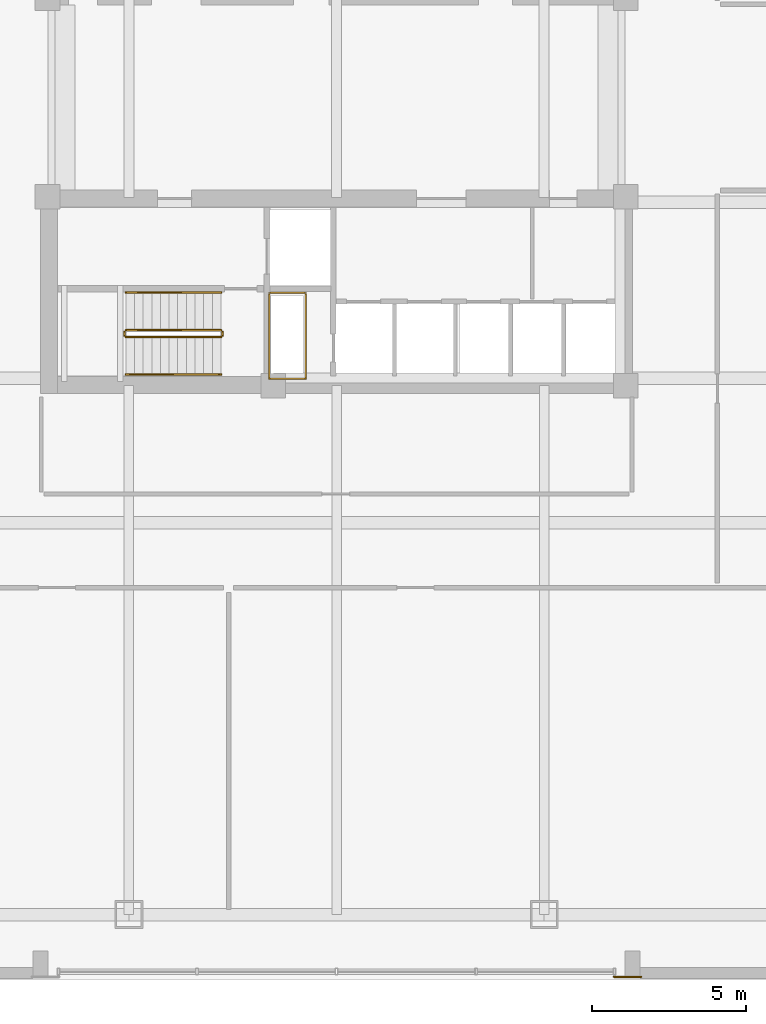
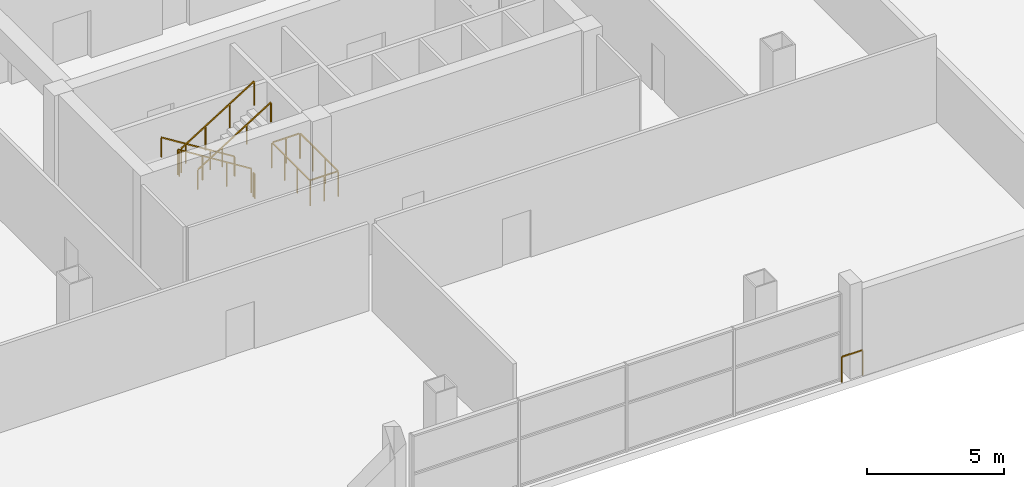
# One storey, part 18 of 21: 8 railings.
"""IFC4 building model written with IfcOpenShell, lengths in metres."""

from ifc_helpers import new_model, si_unit, direction, frame, origin, origin_2d, place, context, subcontext, project, spatial, rectangle, extrude, material, type_object, element, save


model = new_model("IFC4")

# Units and contexts
model_context = context("Model", 3, precision=1e-05, world=origin(), true_north=direction((0.0, 1.0)))
body_context = subcontext(model_context, "Body", "Model", "MODEL_VIEW")
ifc_project = project(units=[si_unit("LENGTHUNIT", "METRE"), si_unit("AREAUNIT", "SQUARE_METRE"), si_unit("VOLUMEUNIT", "CUBIC_METRE"), si_unit("PLANEANGLEUNIT", "RADIAN"), si_unit("MASSUNIT", "GRAM", prefix="KILO")], contexts=[model_context])

# Site, building, storey
site_placement = place(None, origin())
site = spatial("IfcSite", under=ifc_project, at=site_placement, CompositionType="ELEMENT")
building_placement = place(site_placement, origin())
building = spatial("IfcBuilding", under=site, at=building_placement, Name="Qhalaya Broadcast Tower", CompositionType="ELEMENT")
storey_placement = place(building_placement, frame((0.0, 0.0, 5.10009765625)))
storey = spatial("IfcBuildingStorey", under=building, at=storey_placement, Name="L01", CompositionType="ELEMENT", Elevation=5.10009765625)

# Railings
ifc_material = material(Name="Powder-Coated Galvanised Steel", Category="steel")
railing_type_1 = type_object("IfcRailingType", Name="Stair Wall Handrail 900", PredefinedType="HANDRAIL", material=ifc_material)
railing_1_placement = place(storey_placement, frame((-3.75, -5.72998046875, 0.1748046875)))
element("IfcRailing", 1, at=railing_1_placement, inside=storey, type_object=railing_type_1, Name="L01 ST-2 Stair Handrail 1", PredefinedType="HANDRAIL", context=body_context, shape_type="SweptSolid", body=[
    extrude(rectangle(XDim=0.048095703125, YDim=0.048095703125, at=origin_2d()), frame((0.0, 0.0, 0.8759765625), z_axis=(-0.847998304005, 0.0, 0.529998940003), x_axis=(0.0, -1.0, 0.0)), (0.0, 0.0, 1.0), 3.632080078125),
    extrude(rectangle(XDim=0.0419921875, YDim=0.0419921875, at=origin_2d()), origin(), (0.0, 0.0, 1.0), 0.849853515625),
    extrude(rectangle(XDim=0.0419921875, YDim=0.0419921875, at=origin_2d()), frame((-1.026611328125, 0.0, 0.6416015625)), (0.0, 0.0, 1.0), 0.849853515625),
    extrude(rectangle(XDim=0.0419921875, YDim=0.0419921875, at=origin_2d()), frame((-2.053466796875, 0.0, 1.283447265625)), (0.0, 0.0, 1.0), 0.849853515625),
    extrude(rectangle(XDim=0.0419921875, YDim=0.0419921875, at=origin_2d()), frame((-3.080078125, 0.0, 1.925048828125)), (0.0, 0.0, 1.0), 0.849853515625),
])
railing_2_placement = place(storey_placement, frame((-6.830078125, -8.389892578125, 2.27490234375)))
element("IfcRailing", 2, at=railing_2_placement, inside=storey, type_object=railing_type_1, Name="L01 ST-2 Stair Handrail 2", PredefinedType="HANDRAIL", context=body_context, shape_type="SweptSolid", body=[
    extrude(rectangle(XDim=0.048095703125, YDim=0.048095703125, at=origin_2d()), frame((0.0, 0.0, 0.8759765625), z_axis=(0.847998304005, 0.0, 0.529998940003), x_axis=(0.0, 1.0, 0.0)), (0.0, 0.0, 1.0), 3.632080078125),
    extrude(rectangle(XDim=0.0419921875, YDim=0.0419921875, at=origin_2d()), origin(), (0.0, 0.0, 1.0), 0.849853515625),
    extrude(rectangle(XDim=0.0419921875, YDim=0.0419921875, at=origin_2d()), frame((1.026611328125, 0.0, 0.6416015625)), (0.0, 0.0, 1.0), 0.849853515625),
    extrude(rectangle(XDim=0.0419921875, YDim=0.0419921875, at=origin_2d()), frame((2.053466796875, 0.0, 1.283447265625)), (0.0, 0.0, 1.0), 0.849853515625),
    extrude(rectangle(XDim=0.0419921875, YDim=0.0419921875, at=origin_2d()), frame((3.080078125, 0.0, 1.925048828125)), (0.0, 0.0, 1.0), 0.849853515625),
])
railing_type_2 = type_object("IfcRailingType", Name="Stair Well & Landing Guardrail 1100", PredefinedType="GUARDRAIL", material=ifc_material)
railing_3_placement = place(storey_placement, frame((-1.0, -8.52001953125, 0.0)))
element("IfcRailing", 3, at=railing_3_placement, inside=storey, type_object=railing_type_2, Name="L01 Service Riser Opening Safety Guard SRSR", PredefinedType="GUARDRAIL", context=body_context, shape_type="SweptSolid", body=[
    extrude(rectangle(XDim=0.048095703125, YDim=0.048095703125, at=origin_2d()), frame((0.0, 0.02880859375, 1.1259765625), z_axis=(0.0, 1.0, 0.0), x_axis=(-1.0, 0.0, 0.0)), (0.0, 0.0, 1.0), 2.722412109375),
    extrude(rectangle(XDim=0.048095703125, YDim=0.048095703125, at=origin_2d()), frame((-0.02880859375, 2.780029296875, 1.1259765625), z_axis=(-1.0, 0.0, 0.0), x_axis=(0.0, -1.0, 0.0)), (0.0, 0.0, 1.0), 1.122314453125),
    extrude(rectangle(XDim=0.048095703125, YDim=0.048095703125, at=origin_2d()), frame((-1.179931640625, 2.751220703125, 1.1259765625), z_axis=(0.0, -1.0, 0.0), x_axis=(1.0, 0.0, 0.0)), (0.0, 0.0, 1.0), 2.722412109375),
    extrude(rectangle(XDim=0.048095703125, YDim=0.048095703125, at=origin_2d()), frame((-1.151123046875, 0.0, 1.1259765625), z_axis=(1.0, 0.0, 0.0), x_axis=(0.0, 1.0, 0.0)), (0.0, 0.0, 1.0), 1.122314453125),
    extrude(rectangle(XDim=0.0419921875, YDim=0.0419921875, at=origin_2d()), origin(), (0.0, 0.0, 1.0), 1.099853515625),
    extrude(rectangle(XDim=0.0419921875, YDim=0.0419921875, at=origin_2d()), frame((0.0, 0.9267578125, 0.0)), (0.0, 0.0, 1.0), 1.099853515625),
    extrude(rectangle(XDim=0.0419921875, YDim=0.0419921875, at=origin_2d()), frame((0.0, 1.853271484375, 0.0)), (0.0, 0.0, 1.0), 1.099853515625),
    extrude(rectangle(XDim=0.0419921875, YDim=0.0419921875, at=origin_2d()), frame((0.0, 2.780029296875, 0.0)), (0.0, 0.0, 1.0), 1.099853515625),
    extrude(rectangle(XDim=0.0419921875, YDim=0.0419921875, at=origin_2d()), frame((-0.58984375, 2.780029296875, 0.0)), (0.0, 0.0, 1.0), 1.099853515625),
    extrude(rectangle(XDim=0.0419921875, YDim=0.0419921875, at=origin_2d()), frame((-1.179931640625, 2.780029296875, 0.0)), (0.0, 0.0, 1.0), 1.099853515625),
    extrude(rectangle(XDim=0.0419921875, YDim=0.0419921875, at=origin_2d()), frame((-1.179931640625, 1.853271484375, 0.0)), (0.0, 0.0, 1.0), 1.099853515625),
    extrude(rectangle(XDim=0.0419921875, YDim=0.0419921875, at=origin_2d()), frame((-1.179931640625, 0.9267578125, 0.0)), (0.0, 0.0, 1.0), 1.099853515625),
    extrude(rectangle(XDim=0.0419921875, YDim=0.0419921875, at=origin_2d()), frame((-1.179931640625, 0.0, 0.0)), (0.0, 0.0, 1.0), 1.099853515625),
    extrude(rectangle(XDim=0.0419921875, YDim=0.0419921875, at=origin_2d()), frame((-0.58984375, 0.0, 0.0)), (0.0, 0.0, 1.0), 1.099853515625),
])
railing_4_placement = place(storey_placement, frame((-3.75, -6.949951171875, 0.1748046875)))
element("IfcRailing", 4, at=railing_4_placement, inside=storey, type_object=railing_type_2, Name="L01 ST-2 Stair Guard 1", PredefinedType="GUARDRAIL", context=body_context, shape_type="SweptSolid", body=[
    extrude(rectangle(XDim=0.048095703125, YDim=0.048095703125, at=origin_2d()), frame((0.0, 0.0, 1.076171875), z_axis=(-0.847998304005, 0.0, 0.529998940003), x_axis=(0.0, -1.0, 0.0)), (0.0, 0.0, 1.0), 3.632080078125),
    extrude(rectangle(XDim=0.0419921875, YDim=0.0419921875, at=origin_2d()), origin(), (0.0, 0.0, 1.0), 1.050048828125),
    extrude(rectangle(XDim=0.0419921875, YDim=0.0419921875, at=origin_2d()), frame((-1.026611328125, 0.0, 0.6416015625)), (0.0, 0.0, 1.0), 1.050048828125),
    extrude(rectangle(XDim=0.0419921875, YDim=0.0419921875, at=origin_2d()), frame((-2.053466796875, 0.0, 1.283447265625)), (0.0, 0.0, 1.0), 1.050048828125),
    extrude(rectangle(XDim=0.0419921875, YDim=0.0419921875, at=origin_2d()), frame((-3.080078125, 0.0, 1.925048828125)), (0.0, 0.0, 1.0), 1.050048828125),
])
railing_5_placement = place(storey_placement, frame((-6.8798828125, -7.0, 2.099853515625)))
element("IfcRailing", 5, at=railing_5_placement, inside=storey, type_object=railing_type_2, Name="L01 ST-2 Stair Guard 2", PredefinedType="GUARDRAIL", context=body_context, shape_type="SweptSolid", body=[
    extrude(rectangle(XDim=0.048095703125, YDim=0.048095703125, at=origin_2d()), frame((0.0, 0.0, 1.076171875), z_axis=(0.0, -1.0, 0.0), x_axis=(1.0, 0.0, 0.0)), (0.0, 0.0, 1.0), 0.1201171875),
    extrude(rectangle(XDim=0.0419921875, YDim=0.0419921875, at=origin_2d()), origin(), (0.0, 0.0, 1.0), 1.050048828125),
    extrude(rectangle(XDim=0.0419921875, YDim=0.0419921875, at=origin_2d()), frame((0.0, -0.1201171875, 0.0)), (0.0, 0.0, 1.0), 1.050048828125),
])
railing_6_placement = place(storey_placement, frame((-6.830078125, -7.169921875, 2.27490234375)))
element("IfcRailing", 6, at=railing_6_placement, inside=storey, type_object=railing_type_2, Name="L01 ST-2 Stair Guard 3", PredefinedType="GUARDRAIL", context=body_context, shape_type="SweptSolid", body=[
    extrude(rectangle(XDim=0.048095703125, YDim=0.048095703125, at=origin_2d()), frame((0.0, 0.0, 1.076171875), z_axis=(0.847998304005, 0.0, 0.529998940003), x_axis=(0.0, 1.0, 0.0)), (0.0, 0.0, 1.0), 3.632080078125),
    extrude(rectangle(XDim=0.0419921875, YDim=0.0419921875, at=origin_2d()), origin(), (0.0, 0.0, 1.0), 1.050048828125),
    extrude(rectangle(XDim=0.0419921875, YDim=0.0419921875, at=origin_2d()), frame((1.026611328125, 0.0, 0.6416015625)), (0.0, 0.0, 1.0), 1.050048828125),
    extrude(rectangle(XDim=0.0419921875, YDim=0.0419921875, at=origin_2d()), frame((2.053466796875, 0.0, 1.283447265625)), (0.0, 0.0, 1.0), 1.050048828125),
    extrude(rectangle(XDim=0.0419921875, YDim=0.0419921875, at=origin_2d()), frame((3.080078125, 0.0, 1.925048828125)), (0.0, 0.0, 1.0), 1.050048828125),
])
railing_7_placement = place(storey_placement, frame((-3.699951171875, -7.0, 0.0)))
element("IfcRailing", 7, at=railing_7_placement, inside=storey, type_object=railing_type_2, Name="L01 ST-2 Stair Guard 4", PredefinedType="GUARDRAIL", context=body_context, shape_type="SweptSolid", body=[
    extrude(rectangle(XDim=0.048095703125, YDim=0.048095703125, at=origin_2d()), frame((0.0, 0.0, 1.076171875), z_axis=(0.0, -1.0, 0.0), x_axis=(1.0, 0.0, 0.0)), (0.0, 0.0, 1.0), 0.1201171875),
    extrude(rectangle(XDim=0.0419921875, YDim=0.0419921875, at=origin_2d()), origin(), (0.0, 0.0, 1.0), 1.050048828125),
    extrude(rectangle(XDim=0.0419921875, YDim=0.0419921875, at=origin_2d()), frame((0.0, -0.1201171875, 0.0)), (0.0, 0.0, 1.0), 1.050048828125),
])
railing_type_3 = type_object("IfcRailingType", Name="Terrace, Sky-Pool & Lookout Glass Balustrade 1150", PredefinedType="BALUSTRADE", material=ifc_material)
railing_8_placement = place(storey_placement, frame((9.0, -27.919921875, 0.0)))
element("IfcRailing", 8, at=railing_8_placement, inside=storey, type_object=railing_type_3, Name="L01 Concourse Portal Shoulder Safety Balustrade PSE", PredefinedType="BALUSTRADE", context=body_context, shape_type="SweptSolid", body=[
    extrude(rectangle(XDim=0.048095703125, YDim=0.048095703125, at=origin_2d()), frame((0.0, 0.0, 1.1259765625), z_axis=(1.0, 0.0, 0.0), x_axis=(0.0, 1.0, 0.0)), (0.0, 0.0, 1.0), 0.8798828125),
    extrude(rectangle(XDim=0.0419921875, YDim=0.0419921875, at=origin_2d()), origin(), (0.0, 0.0, 1.0), 1.099853515625),
    extrude(rectangle(XDim=0.0419921875, YDim=0.0419921875, at=origin_2d()), frame((0.8798828125, 0.0, 0.0)), (0.0, 0.0, 1.0), 1.099853515625),
])

save(model, "model.ifc")
